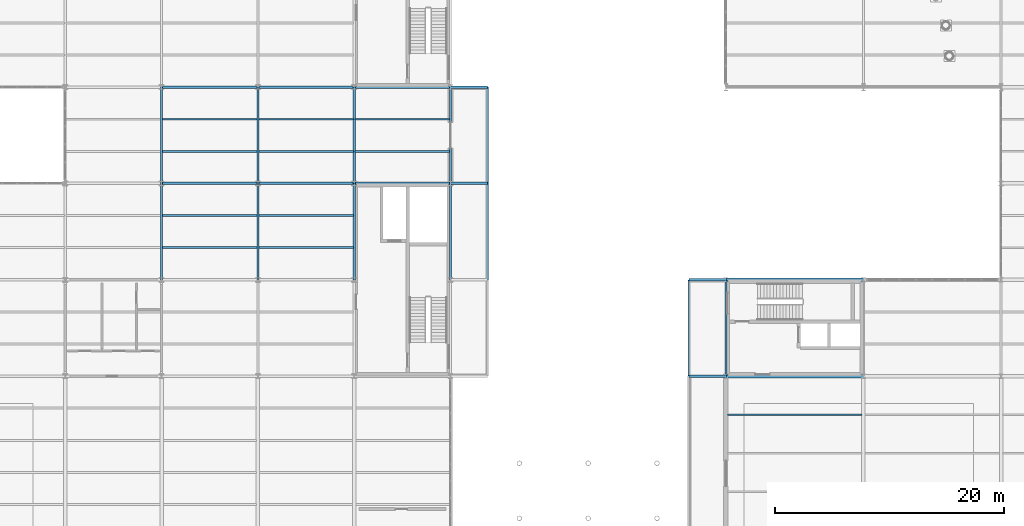
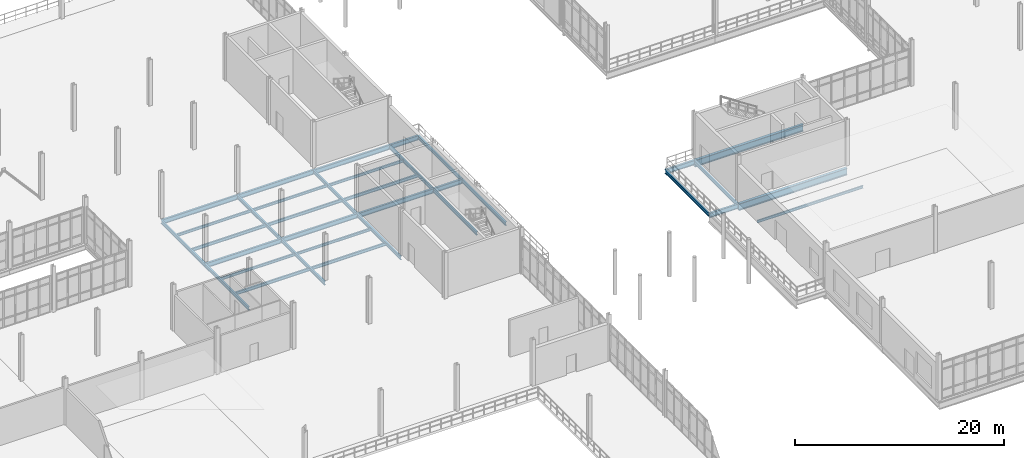
# One storey, part 44 of 111: 35 beams.
"""IFC4 building model written with IfcOpenShell, lengths in metres."""

from ifc_helpers import new_model, si_unit, direction, frame, origin, origin_2d, place, context, subcontext, project, spatial, i_section, extrude, material, material_profile, profile_set, type_object, element, save


model = new_model("IFC4")

# Units and contexts
model_context = context("Model", 3, precision=1e-05, world=origin(), true_north=direction((0.0, 1.0)))
body_context = subcontext(model_context, "Body", "Model", "MODEL_VIEW")
ifc_project = project(units=[si_unit("LENGTHUNIT", "METRE"), si_unit("AREAUNIT", "SQUARE_METRE"), si_unit("VOLUMEUNIT", "CUBIC_METRE"), si_unit("PLANEANGLEUNIT", "RADIAN"), si_unit("MASSUNIT", "GRAM", prefix="KILO"), si_unit("THERMODYNAMICTEMPERATUREUNIT", "KELVIN"), si_unit("POWERUNIT", "WATT")], contexts=[model_context])

# Site, building, storey
site_placement = place(None, origin())
site = spatial("IfcSite", under=ifc_project, at=site_placement, CompositionType="ELEMENT")
building_placement = place(site_placement, origin())
building = spatial("IfcBuilding", under=site, at=building_placement, Name="Tembeka Court Mobility Hub", CompositionType="ELEMENT")
storey_placement = place(building_placement, origin())
storey = spatial("IfcBuildingStorey", under=building, at=storey_placement, Name="L00", CompositionType="ELEMENT", Elevation=0.0)

# Beams
ifc_material = material(Name="Steel S355", Category="steel")
ifc_material_profile_1 = material_profile(ifc_material, i_section(OverallWidth=0.177978515625, OverallDepth=0.406005859375, WebThickness=0.0078125, FlangeThickness=0.0126953125, FilletRadius=0.01025390625, at=origin_2d()), Name="UKB 406x178x60")
ifc_profile_set_1 = profile_set([ifc_material_profile_1], Name="Steel S355")
beam_type_1 = type_object("IfcBeamType", Name="BM-B02", PredefinedType="BEAM", material=ifc_profile_set_1)
beam_1_placement = place(storey_placement, frame((67.199951171875, 46.800048828125, -0.48291015625), z_axis=(0.0, 1.0, 0.0), x_axis=(-1.0, 0.0, 0.0)))
element("IfcBeam", 1, at=beam_1_placement, inside=storey, type_object=beam_type_1, Name="Beam B02 (BM-L00-Y0235)", PredefinedType="BEAM", context=body_context, shape_type="SweptSolid", body=[
    extrude(i_section(OverallWidth=0.177978515625, OverallDepth=0.406005859375, WebThickness=0.0078125, FlangeThickness=0.0126953125, FilletRadius=0.01025390625, at=origin_2d()), origin(), (0.0, 0.0, 1.0), 8.39990234375),
])
beam_2_placement = place(storey_placement, frame((67.199951171875, 55.199951171875, -0.48291015625), z_axis=(0.0, 1.0, 0.0), x_axis=(-1.0, 0.0, 0.0)))
element("IfcBeam", 2, at=beam_2_placement, inside=storey, type_object=beam_type_1, Name="Beam B02 (BM-L00-Y0236)", PredefinedType="BEAM", context=body_context, shape_type="SweptSolid", body=[
    extrude(i_section(OverallWidth=0.177978515625, OverallDepth=0.406005859375, WebThickness=0.0078125, FlangeThickness=0.0126953125, FilletRadius=0.01025390625, at=origin_2d()), origin(), (0.0, 0.0, 1.0), 8.400146484375),
])
beam_3_placement = place(storey_placement, frame((75.60009765625, 46.800048828125, -0.48291015625), z_axis=(0.0, 1.0, 0.0), x_axis=(-1.0, 0.0, 0.0)))
element("IfcBeam", 3, at=beam_3_placement, inside=storey, type_object=beam_type_1, Name="Beam B02 (BM-L00-Y0242)", PredefinedType="BEAM", context=body_context, shape_type="SweptSolid", body=[
    extrude(i_section(OverallWidth=0.177978515625, OverallDepth=0.406005859375, WebThickness=0.0078125, FlangeThickness=0.0126953125, FilletRadius=0.01025390625, at=origin_2d()), origin(), (0.0, 0.0, 1.0), 8.39990234375),
])
beam_4_placement = place(storey_placement, frame((75.60009765625, 55.199951171875, -0.48291015625), z_axis=(0.0, 1.0, 0.0), x_axis=(-1.0, 0.0, 0.0)))
element("IfcBeam", 4, at=beam_4_placement, inside=storey, type_object=beam_type_1, Name="Beam B02 (BM-L00-Y0243)", PredefinedType="BEAM", context=body_context, shape_type="SweptSolid", body=[
    extrude(i_section(OverallWidth=0.177978515625, OverallDepth=0.406005859375, WebThickness=0.0078125, FlangeThickness=0.0126953125, FilletRadius=0.01025390625, at=origin_2d()), origin(), (0.0, 0.0, 1.0), 8.400146484375),
])
beam_5_placement = place(storey_placement, frame((84.0, 46.800048828125, -0.48291015625), z_axis=(0.0, 1.0, 0.0), x_axis=(-1.0, 0.0, 0.0)))
element("IfcBeam", 5, at=beam_5_placement, inside=storey, type_object=beam_type_1, Name="Beam B02 (BM-L00-Y0251)", PredefinedType="BEAM", context=body_context, shape_type="SweptSolid", body=[
    extrude(i_section(OverallWidth=0.177978515625, OverallDepth=0.406005859375, WebThickness=0.0078125, FlangeThickness=0.0126953125, FilletRadius=0.01025390625, at=origin_2d()), origin(), (0.0, 0.0, 1.0), 8.39990234375),
])
beam_6_placement = place(storey_placement, frame((84.0, 55.199951171875, -0.48291015625), z_axis=(0.0, 1.0, 0.0), x_axis=(-1.0, 0.0, 0.0)))
element("IfcBeam", 6, at=beam_6_placement, inside=storey, type_object=beam_type_1, Name="Beam B02 (BM-L00-Y0252)", PredefinedType="BEAM", context=body_context, shape_type="SweptSolid", body=[
    extrude(i_section(OverallWidth=0.177978515625, OverallDepth=0.406005859375, WebThickness=0.0078125, FlangeThickness=0.0126953125, FilletRadius=0.01025390625, at=origin_2d()), origin(), (0.0, 0.0, 1.0), 8.400146484375),
])
beam_7_placement = place(storey_placement, frame((92.39990234375, 46.800048828125, -0.52294921875), z_axis=(0.0, 1.0, 0.0), x_axis=(-1.0, 0.0, 0.0)))
element("IfcBeam", 7, at=beam_7_placement, inside=storey, type_object=beam_type_1, Name="Beam B02 (BM-L00-Y0262)", PredefinedType="BEAM", context=body_context, shape_type="SweptSolid", body=[
    extrude(i_section(OverallWidth=0.177978515625, OverallDepth=0.406005859375, WebThickness=0.0078125, FlangeThickness=0.0126953125, FilletRadius=0.01025390625, at=origin_2d()), origin(), (0.0, 0.0, 1.0), 8.39990234375),
])
beam_8_placement = place(storey_placement, frame((92.39990234375, 55.199951171875, -0.52294921875), z_axis=(0.0, 1.0, 0.0), x_axis=(-1.0, 0.0, 0.0)))
element("IfcBeam", 8, at=beam_8_placement, inside=storey, type_object=beam_type_1, Name="Beam B02 (BM-L00-Y0263)", PredefinedType="BEAM", context=body_context, shape_type="SweptSolid", body=[
    extrude(i_section(OverallWidth=0.177978515625, OverallDepth=0.406005859375, WebThickness=0.0078125, FlangeThickness=0.0126953125, FilletRadius=0.01025390625, at=origin_2d()), origin(), (0.0, 0.0, 1.0), 8.400146484375),
])
beam_9_placement = place(storey_placement, frame((95.60009765625, 46.800048828125, -0.52294921875), z_axis=(0.0, 1.0, 0.0), x_axis=(-1.0, 0.0, 0.0)))
element("IfcBeam", 9, at=beam_9_placement, inside=storey, type_object=beam_type_1, Name="Beam B02 (BM-L00-Y0270)", PredefinedType="BEAM", context=body_context, shape_type="SweptSolid", body=[
    extrude(i_section(OverallWidth=0.177978515625, OverallDepth=0.406005859375, WebThickness=0.0078125, FlangeThickness=0.0126953125, FilletRadius=0.01025390625, at=origin_2d()), origin(), (0.0, 0.0, 1.0), 8.39990234375),
])
for number, where, z_axis, x_axis, name in (
    (10, (95.60009765625, 55.199951171875, -0.52294921875), (0.0, 1.0, 0.0), (-1.0, 0.0, 0.0), "Beam B02 (BM-L00-Y0271)"),
    (11, (113.199951171875, 38.39990234375, -0.52294921875), (0.0, 1.0, 0.0), (-1.0, 0.0, 0.0), "Beam B02 (BM-L00-Y0273)"),
    (12, (116.39990234375, 38.39990234375, -0.52294921875), (0.0, 1.0, 0.0), (-1.0, 0.0, 0.0), "Beam B02 (BM-L00-Y0277)"),
):
    element("IfcBeam", number, at=place(storey_placement, frame(where, z_axis=z_axis, x_axis=x_axis)), inside=storey, type_object=beam_type_1, Name=name, PredefinedType="BEAM", context=body_context, shape_type="SweptSolid", body=[
        extrude(i_section(OverallWidth=0.177978515625, OverallDepth=0.406005859375, WebThickness=0.0078125, FlangeThickness=0.0126953125, FilletRadius=0.01025390625, at=origin_2d()), origin(), (0.0, 0.0, 1.0), 8.400146484375),
    ])
ifc_material_profile_2 = material_profile(ifc_material, i_section(OverallWidth=0.2099609375, OverallDepth=0.537109375, WebThickness=0.0107421875, FlangeThickness=0.017333984375, FilletRadius=0.0126953125, at=origin_2d()), Name="UKB 533x210x101")
ifc_profile_set_2 = profile_set([ifc_material_profile_2], Name="Steel S355")
beam_type_2 = type_object("IfcBeamType", Name="BM-G03", PredefinedType="USERDEFINED", material=ifc_profile_set_2)
for number, where, z_axis, x_axis, name in (
    (13, (113.199951171875, 38.39990234375, -0.58837890625), (1.0, 0.0, 0.0), (0.0, 1.0, 0.0), "Beam G03 (BM-L00-X0053)"),
    (14, (113.199951171875, 46.800048828125, -0.58837890625), (1.0, 0.0, 0.0), (0.0, 1.0, 0.0), "Beam G03 (BM-L00-X0069)"),
):
    element("IfcBeam", number, at=place(storey_placement, frame(where, z_axis=z_axis, x_axis=x_axis)), inside=storey, type_object=beam_type_2, Name=name, ObjectType="GIRDER", PredefinedType="USERDEFINED", context=body_context, shape_type="SweptSolid", body=[
        extrude(i_section(OverallWidth=0.2099609375, OverallDepth=0.537109375, WebThickness=0.0107421875, FlangeThickness=0.017333984375, FilletRadius=0.0126953125, at=origin_2d()), origin(), (0.0, 0.0, 1.0), 3.199951171875),
    ])
beam_10_placement = place(storey_placement, frame((67.199951171875, 55.199951171875, -0.548583984375), z_axis=(1.0, 0.0, 0.0), x_axis=(0.0, 1.0, 0.0)))
element("IfcBeam", 15, at=beam_10_placement, inside=storey, type_object=beam_type_2, Name="Beam G03 (BM-L00-X0083)", ObjectType="GIRDER", PredefinedType="USERDEFINED", context=body_context, shape_type="SweptSolid", body=[
    extrude(i_section(OverallWidth=0.2099609375, OverallDepth=0.537109375, WebThickness=0.0107421875, FlangeThickness=0.017333984375, FilletRadius=0.0126953125, at=origin_2d()), origin(), (0.0, 0.0, 1.0), 8.400146484375),
])
for number, where, z_axis, x_axis, name in (
    (16, (75.60009765625, 55.199951171875, -0.548583984375), (1.0, 0.0, 0.0), (0.0, 1.0, 0.0), "Beam G03 (BM-L00-X0084)"),
    (17, (84.0, 55.199951171875, -0.58837890625), (1.0, 0.0, 0.0), (0.0, 1.0, 0.0), "Beam G03 (BM-L00-X0085)"),
):
    element("IfcBeam", number, at=place(storey_placement, frame(where, z_axis=z_axis, x_axis=x_axis)), inside=storey, type_object=beam_type_2, Name=name, ObjectType="GIRDER", PredefinedType="USERDEFINED", context=body_context, shape_type="SweptSolid", body=[
        extrude(i_section(OverallWidth=0.2099609375, OverallDepth=0.537109375, WebThickness=0.0107421875, FlangeThickness=0.017333984375, FilletRadius=0.0126953125, at=origin_2d()), origin(), (0.0, 0.0, 1.0), 8.39990234375),
    ])
beam_11_placement = place(storey_placement, frame((92.39990234375, 55.199951171875, -0.58837890625), z_axis=(1.0, 0.0, 0.0), x_axis=(0.0, 1.0, 0.0)))
element("IfcBeam", 18, at=beam_11_placement, inside=storey, type_object=beam_type_2, Name="Beam G03 (BM-L00-X0086)", ObjectType="GIRDER", PredefinedType="USERDEFINED", context=body_context, shape_type="SweptSolid", body=[
    extrude(i_section(OverallWidth=0.2099609375, OverallDepth=0.537109375, WebThickness=0.0107421875, FlangeThickness=0.017333984375, FilletRadius=0.0126953125, at=origin_2d()), origin(), (0.0, 0.0, 1.0), 3.2001953125),
])
beam_12_placement = place(storey_placement, frame((67.199951171875, 63.60009765625, -0.548583984375), z_axis=(1.0, 0.0, 0.0), x_axis=(0.0, 1.0, 0.0)))
element("IfcBeam", 19, at=beam_12_placement, inside=storey, type_object=beam_type_2, Name="Beam G03 (BM-L00-X0098)", ObjectType="GIRDER", PredefinedType="USERDEFINED", context=body_context, shape_type="SweptSolid", body=[
    extrude(i_section(OverallWidth=0.2099609375, OverallDepth=0.537109375, WebThickness=0.0107421875, FlangeThickness=0.017333984375, FilletRadius=0.0126953125, at=origin_2d()), origin(), (0.0, 0.0, 1.0), 8.400146484375),
])
for number, where, z_axis, x_axis, name in (
    (20, (75.60009765625, 63.60009765625, -0.548583984375), (1.0, 0.0, 0.0), (0.0, 1.0, 0.0), "Beam G03 (BM-L00-X0099)"),
    (21, (84.0, 63.60009765625, -0.58837890625), (1.0, 0.0, 0.0), (0.0, 1.0, 0.0), "Beam G03 (BM-L00-X0100)"),
):
    element("IfcBeam", number, at=place(storey_placement, frame(where, z_axis=z_axis, x_axis=x_axis)), inside=storey, type_object=beam_type_2, Name=name, ObjectType="GIRDER", PredefinedType="USERDEFINED", context=body_context, shape_type="SweptSolid", body=[
        extrude(i_section(OverallWidth=0.2099609375, OverallDepth=0.537109375, WebThickness=0.0107421875, FlangeThickness=0.017333984375, FilletRadius=0.0126953125, at=origin_2d()), origin(), (0.0, 0.0, 1.0), 8.39990234375),
    ])
beam_13_placement = place(storey_placement, frame((92.39990234375, 63.60009765625, -0.58837890625), z_axis=(1.0, 0.0, 0.0), x_axis=(0.0, 1.0, 0.0)))
element("IfcBeam", 22, at=beam_13_placement, inside=storey, type_object=beam_type_2, Name="Beam G03 (BM-L00-X0101)", ObjectType="GIRDER", PredefinedType="USERDEFINED", context=body_context, shape_type="SweptSolid", body=[
    extrude(i_section(OverallWidth=0.2099609375, OverallDepth=0.537109375, WebThickness=0.0107421875, FlangeThickness=0.017333984375, FilletRadius=0.0126953125, at=origin_2d()), origin(), (0.0, 0.0, 1.0), 3.2001953125),
])
ifc_material_profile_3 = material_profile(ifc_material, i_section(OverallWidth=0.300048828125, OverallDepth=0.800048828125, WebThickness=0.017578125, FlangeThickness=0.034912109375, FilletRadius=0.030029296875, at=origin_2d()), Name="HEB 800")
ifc_profile_set_3 = profile_set([ifc_material_profile_3], Name="Steel S355")
beam_type_3 = type_object("IfcBeamType", Name="BM-G04", PredefinedType="USERDEFINED", material=ifc_profile_set_3)
for number, where, z_axis, x_axis, name in (
    (23, (116.39990234375, 38.39990234375, -0.719970703125), (1.0, 0.0, 0.0), (0.0, 1.0, 0.0), "Beam G04 (BM-L00-X0054)"),
    (24, (116.39990234375, 46.800048828125, -0.719970703125), (1.0, 0.0, 0.0), (0.0, 1.0, 0.0), "Beam G04 (BM-L00-X0070)"),
):
    element("IfcBeam", number, at=place(storey_placement, frame(where, z_axis=z_axis, x_axis=x_axis)), inside=storey, type_object=beam_type_3, Name=name, ObjectType="GIRDER", PredefinedType="USERDEFINED", context=body_context, shape_type="SweptSolid", body=[
        extrude(i_section(OverallWidth=0.300048828125, OverallDepth=0.800048828125, WebThickness=0.017578125, FlangeThickness=0.034912109375, FilletRadius=0.030029296875, at=origin_2d()), origin(), (0.0, 0.0, 1.0), 12.0),
    ])
ifc_material_profile_4 = material_profile(ifc_material, i_section(OverallWidth=0.1650390625, OverallDepth=0.303955078125, WebThickness=0.006103515625, FlangeThickness=0.01025390625, FilletRadius=0.0087890625, at=origin_2d()), Name="UKB 305x165x40")
ifc_profile_set_4 = profile_set([ifc_material_profile_4], Name="Steel S355")
beam_type_4 = type_object("IfcBeamType", Name="BM-J02", PredefinedType="JOIST", material=ifc_profile_set_4)
for number, where, z_axis, x_axis, name in (
    (25, (67.283935546875, 52.39990234375, -0.431884765625), (1.0, 0.0, 0.0), (0.0, 1.0, 0.0), "Beam J02 (JST-L00-0478)"),
    (26, (67.283935546875, 60.800048828125, -0.431884765625), (1.0, 0.0, 0.0), (0.0, 1.0, 0.0), "Beam J02 (JST-L00-0480)"),
):
    element("IfcBeam", number, at=place(storey_placement, frame(where, z_axis=z_axis, x_axis=x_axis)), inside=storey, type_object=beam_type_4, Name=name, PredefinedType="JOIST", context=body_context, shape_type="SweptSolid", body=[
        extrude(i_section(OverallWidth=0.1650390625, OverallDepth=0.303955078125, WebThickness=0.006103515625, FlangeThickness=0.01025390625, FilletRadius=0.0087890625, at=origin_2d()), origin(), (0.0, 0.0, 1.0), 8.232177734375),
    ])
for number, where, z_axis, x_axis, name in (
    (27, (75.68408203125, 52.39990234375, -0.431884765625), (1.0, 0.0, 0.0), (0.0, 1.0, 0.0), "Beam J02 (JST-L00-0498)"),
    (28, (75.68408203125, 60.800048828125, -0.431884765625), (1.0, 0.0, 0.0), (0.0, 1.0, 0.0), "Beam J02 (JST-L00-0500)"),
    (29, (84.083984375, 60.800048828125, -0.471923828125), (1.0, 0.0, 0.0), (0.0, 1.0, 0.0), "Beam J02 (JST-L00-0516)"),
):
    element("IfcBeam", number, at=place(storey_placement, frame(where, z_axis=z_axis, x_axis=x_axis)), inside=storey, type_object=beam_type_4, Name=name, PredefinedType="JOIST", context=body_context, shape_type="SweptSolid", body=[
        extrude(i_section(OverallWidth=0.1650390625, OverallDepth=0.303955078125, WebThickness=0.006103515625, FlangeThickness=0.01025390625, FilletRadius=0.0087890625, at=origin_2d()), origin(), (0.0, 0.0, 1.0), 8.23193359375),
    ])
ifc_material_profile_5 = material_profile(ifc_material, i_section(OverallWidth=0.169921875, OverallDepth=0.360107421875, WebThickness=0.008056640625, FlangeThickness=0.0126953125, FilletRadius=0.01806640625, at=origin_2d()), Name="IPE 360")
ifc_profile_set_5 = profile_set([ifc_material_profile_5], Name="Steel S355")
beam_type_5 = type_object("IfcBeamType", Name="BM-J03", PredefinedType="JOIST", material=ifc_profile_set_5)
for number, where, z_axis, x_axis, name in (
    (30, (67.283935546875, 49.60009765625, -0.4599609375), (1.0, 0.0, 0.0), (0.0, 1.0, 0.0), "Beam J03 (JST-L00-0477)"),
    (31, (67.283935546875, 58.0, -0.4599609375), (1.0, 0.0, 0.0), (0.0, 1.0, 0.0), "Beam J03 (JST-L00-0479)"),
):
    element("IfcBeam", number, at=place(storey_placement, frame(where, z_axis=z_axis, x_axis=x_axis)), inside=storey, type_object=beam_type_5, Name=name, PredefinedType="JOIST", context=body_context, shape_type="SweptSolid", body=[
        extrude(i_section(OverallWidth=0.169921875, OverallDepth=0.360107421875, WebThickness=0.008056640625, FlangeThickness=0.0126953125, FilletRadius=0.01806640625, at=origin_2d()), origin(), (0.0, 0.0, 1.0), 8.232177734375),
    ])
for number, where, z_axis, x_axis, name in (
    (32, (75.68408203125, 49.60009765625, -0.4599609375), (1.0, 0.0, 0.0), (0.0, 1.0, 0.0), "Beam J03 (JST-L00-0497)"),
    (33, (75.68408203125, 58.0, -0.4599609375), (1.0, 0.0, 0.0), (0.0, 1.0, 0.0), "Beam J03 (JST-L00-0499)"),
    (34, (84.083984375, 58.0, -0.5), (1.0, 0.0, 0.0), (0.0, 1.0, 0.0), "Beam J03 (JST-L00-0515)"),
):
    element("IfcBeam", number, at=place(storey_placement, frame(where, z_axis=z_axis, x_axis=x_axis)), inside=storey, type_object=beam_type_5, Name=name, PredefinedType="JOIST", context=body_context, shape_type="SweptSolid", body=[
        extrude(i_section(OverallWidth=0.169921875, OverallDepth=0.360107421875, WebThickness=0.008056640625, FlangeThickness=0.0126953125, FilletRadius=0.01806640625, at=origin_2d()), origin(), (0.0, 0.0, 1.0), 8.23193359375),
    ])
ifc_material_profile_6 = material_profile(ifc_material, i_section(OverallWidth=0.14990234375, OverallDepth=0.300048828125, WebThickness=0.007080078125, FlangeThickness=0.0107421875, FilletRadius=0.014892578125, at=origin_2d()), Name="IPE 300")
ifc_profile_set_6 = profile_set([ifc_material_profile_6], Name="Steel S355")
beam_type_6 = type_object("IfcBeamType", Name="BM-J04", PredefinedType="JOIST", material=ifc_profile_set_6)
beam_14_placement = place(storey_placement, frame((116.544921875, 35.0400390625, -0.469970703125), z_axis=(1.0, 0.0, 0.0), x_axis=(0.0, 1.0, 0.0)))
element("IfcBeam", 35, at=beam_14_placement, inside=storey, type_object=beam_type_6, Name="Beam J04 (JST-L00-0529)", PredefinedType="JOIST", context=body_context, shape_type="SweptSolid", body=[
    extrude(i_section(OverallWidth=0.14990234375, OverallDepth=0.300048828125, WebThickness=0.007080078125, FlangeThickness=0.0107421875, FilletRadius=0.014892578125, at=origin_2d()), origin(), (0.0, 0.0, 1.0), 11.7099609375),
])

save(model, "model.ifc")
